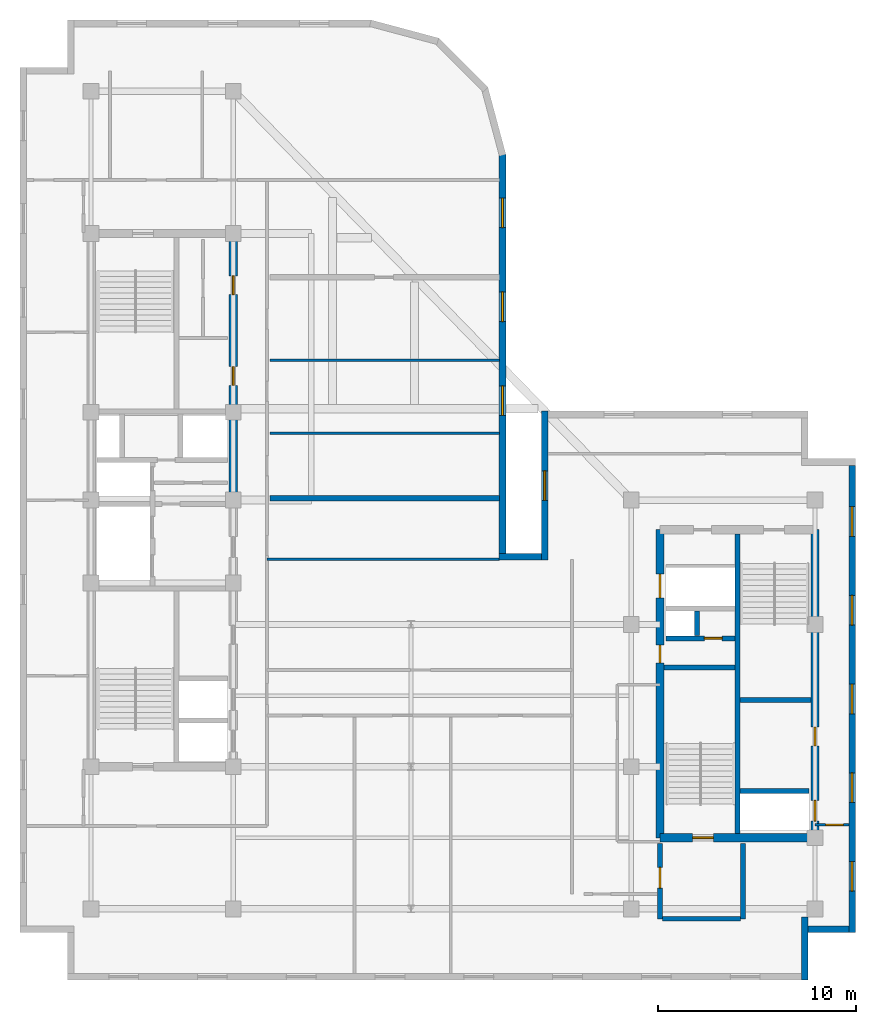
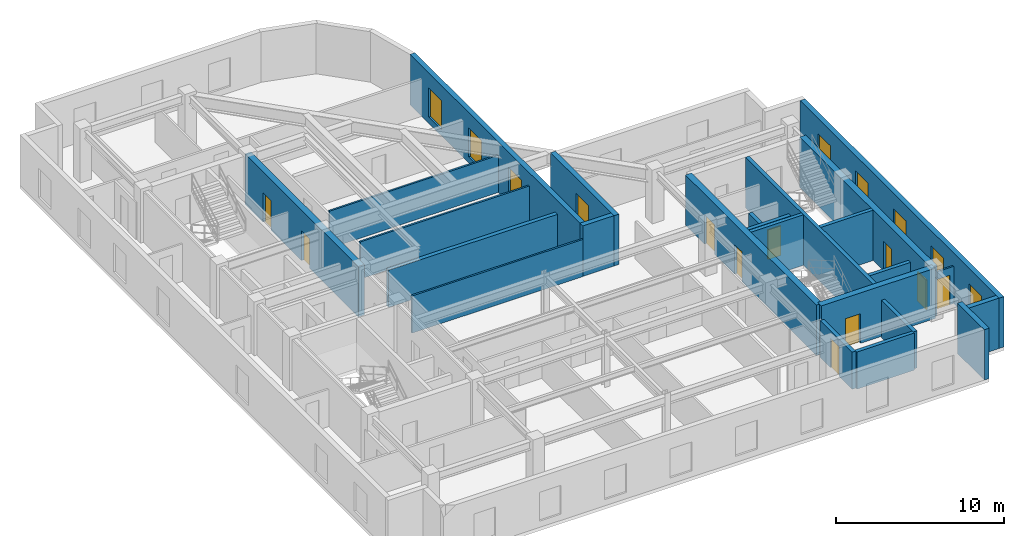
# One storey, part 5 of 10: 24 walls, 10 doors, 9 windows, 19 openings.
"""IFC4 building model written with IfcOpenShell, lengths in metres."""

from ifc_helpers import new_model, entity, si_unit, converted_unit, direction, frame, origin_with_axes, origin_2d_with_axis, place, context, subcontext, project, spatial, polyline, rectangle, outline, extrude, material, layer, layer_set, type_object, element, fill, save


model = new_model("IFC4")

# Units and contexts
model_context = context("Model", 3, precision=1e-05, world=origin_with_axes(), true_north=direction((0.0, 1.0)))
body_context = subcontext(model_context, "Body", "Model", "MODEL_VIEW")
ifc_project = project(units=[si_unit("LENGTHUNIT", "METRE"), si_unit("AREAUNIT", "SQUARE_METRE"), si_unit("VOLUMEUNIT", "CUBIC_METRE"), converted_unit("PLANEANGLEUNIT", "DEGREE", entity("IfcPlaneAngleMeasure", 0.017453292519943295), si_unit("PLANEANGLEUNIT", "RADIAN"), dimensions=[0, 0, 0, 0, 0, 0, 0]), si_unit("MASSUNIT", "GRAM", prefix="KILO"), si_unit("THERMODYNAMICTEMPERATUREUNIT", "KELVIN")], contexts=[model_context])

# Site, building, storey
site_placement = place(None, origin_with_axes())
site = spatial("IfcSite", under=ifc_project, at=site_placement, CompositionType="ELEMENT")
building_placement = place(site_placement, origin_with_axes())
building = spatial("IfcBuilding", under=site, at=building_placement, Name="Varnlund Millrace Tower", CompositionType="ELEMENT")
storey_placement = place(building_placement, frame((0.0, 0.0, 280.2), z_axis=(0.0, 0.0, 1.0), x_axis=(1.0, 0.0, 0.0)))
storey = spatial("IfcBuildingStorey", under=building, at=storey_placement, Name="L69", CompositionType="ELEMENT", Elevation=280.2)

# Wall, openings, doors
ifc_material_1 = material(Name="Concrete C60/75", Category="concrete")
ifc_layer_1 = layer(ifc_material_1, 0.42, Name="Concrete C60/75")
ifc_layer_set_1 = layer_set([ifc_layer_1], Name="Concrete C60/75")
wall_type_1 = type_object("IfcWallType", Name="Type-CoreWall-Shear-420-C60", PredefinedType="SHEAR", material=ifc_layer_set_1)
wall_1_placement = place(storey_placement, frame((18.6, 24.3, 0.0), z_axis=(0.0, 0.0, 1.0), x_axis=(0.0, 1.0, 0.0)))
wall_1 = element("IfcWall", 1, at=wall_1_placement, inside=storey, type_object=wall_type_1, Name="Type-CoreWall-Shear-420-C60", PredefinedType="SHEAR", context=body_context, shape_type="SweptSolid", body=[
    extrude(outline(polyline([(0.0, -0.21), (13.5, -0.21), (13.5, 0.21), (0.0, 0.21), (0.0, -0.21)])), origin_with_axes(), (0.0, 0.0, 1.0), 3.66),
])
opening_1_placement = place(wall_1_placement, frame((6.275, 0.0, 0.0), z_axis=(0.0, 0.0, 1.0), x_axis=(1.0, 0.0, 0.0)))
opening_1 = element("IfcOpeningElement", 2, at=opening_1_placement, cuts=wall_1, Name="Opening L69:DR-RECL-M1", PredefinedType="OPENING", context=body_context, shape_type="SweptSolid", body=[
    extrude(rectangle(XDim=0.95, YDim=0.44, at=origin_2d_with_axis()), origin_with_axes(), (0.0, 0.0, 1.0), 2.15),
])
opening_2_placement = place(wall_1_placement, frame((10.875, 0.0, 0.0), z_axis=(0.0, 0.0, 1.0), x_axis=(1.0, 0.0, 0.0)))
opening_2 = element("IfcOpeningElement", 3, at=opening_2_placement, cuts=wall_1, Name="Opening L69:DR-RECL-M3", PredefinedType="OPENING", context=body_context, shape_type="SweptSolid", body=[
    extrude(rectangle(XDim=0.95, YDim=0.44, at=origin_2d_with_axis()), origin_with_axes(), (0.0, 0.0, 1.0), 2.15),
])
ifc_material_2 = material(Name="Fire-rated hollow steel core service door", Category="steel")
door_type_1 = type_object("IfcDoorType", Name="Type-FireDoor-Service-950X2150", OperationType="NOTDEFINED", PredefinedType="DOOR", material=ifc_material_2)
door_1_placement = place(wall_1_placement, frame((6.275, 0.0, 0.0), z_axis=(0.0, 0.0, 1.0), x_axis=(1.0, 0.0, 0.0)))
door_1 = element("IfcDoor", 4, at=door_1_placement, inside=storey, type_object=door_type_1, Name="Type-FireDoor-Service-950X2150", OperationType="SINGLE_SWING_LEFT", OverallHeight=2.15, OverallWidth=0.95, PredefinedType="DOOR", context=body_context, shape_type="SweptSolid", body=[
    extrude(rectangle(XDim=0.95, YDim=0.09, at=origin_2d_with_axis()), origin_with_axes(), (0.0, 0.0, 1.0), 2.15),
])
fill(opening_1, door_1)
door_2_placement = place(wall_1_placement, frame((10.875, 0.0, 0.0), z_axis=(0.0, 0.0, 1.0), x_axis=(1.0, 0.0, 0.0)))
door_2 = element("IfcDoor", 5, at=door_2_placement, inside=storey, type_object=door_type_1, Name="Type-FireDoor-Service-950X2150", OperationType="SINGLE_SWING_RIGHT", OverallHeight=2.15, OverallWidth=0.95, PredefinedType="DOOR", context=body_context, shape_type="SweptSolid", body=[
    extrude(rectangle(XDim=0.95, YDim=0.09, at=origin_2d_with_axis()), origin_with_axes(), (0.0, 0.0, 1.0), 2.15),
])
fill(opening_2, door_2)

wall_2_placement = place(storey_placement, frame((40.2, 7.2, 0.0), z_axis=(0.0, 0.0, 1.0), x_axis=(0.0, 1.0, 0.0)))
wall_2 = element("IfcWall", 6, at=wall_2_placement, inside=storey, type_object=wall_type_1, Name="Type-CoreWall-Shear-420-C60", PredefinedType="SHEAR", context=body_context, shape_type="SweptSolid", body=[
    extrude(outline(polyline([(0.0, -0.21), (15.6, -0.21), (15.6, 0.21), (0.0, 0.21), (0.0, -0.21)])), origin_with_axes(), (0.0, 0.0, 1.0), 3.66),
])
opening_3_placement = place(wall_2_placement, frame((12.75, 0.0, 0.0), z_axis=(0.0, 0.0, 1.0), x_axis=(1.0, 0.0, 0.0)))
opening_3 = element("IfcOpeningElement", 7, at=opening_3_placement, cuts=wall_2, Name="Opening L69:LD-SRV2", PredefinedType="OPENING", context=body_context, shape_type="SweptSolid", body=[
    extrude(rectangle(XDim=1.2, YDim=0.44, at=origin_2d_with_axis()), origin_with_axes(), (0.0, 0.0, 1.0), 2.15),
])
opening_4_placement = place(wall_2_placement, frame((9.3, 0.0, 0.0), z_axis=(0.0, 0.0, 1.0), x_axis=(1.0, 0.0, 0.0)))
opening_4 = element("IfcOpeningElement", 8, at=opening_4_placement, cuts=wall_2, Name="Opening L69:DR-CB-JAN", PredefinedType="OPENING", context=body_context, shape_type="SweptSolid", body=[
    extrude(rectangle(XDim=0.9, YDim=0.44, at=origin_2d_with_axis()), origin_with_axes(), (0.0, 0.0, 1.0), 2.15),
])
ifc_material_3 = material(Name="Fire-rated hollow steel service closet door", Category="steel")
door_type_2 = type_object("IfcDoorType", Name="Type-FireDoor-Closet-900X2150", OperationType="NOTDEFINED", PredefinedType="DOOR", material=ifc_material_3)
door_3_placement = place(wall_2_placement, frame((9.3, 0.0, 0.0), z_axis=(0.0, 0.0, 1.0), x_axis=(1.0, 0.0, 0.0)))
door_3 = element("IfcDoor", 9, at=door_3_placement, inside=storey, type_object=door_type_2, Name="Type-FireDoor-Closet-900X2150", OperationType="SINGLE_SWING_RIGHT", OverallHeight=2.15, OverallWidth=0.9, PredefinedType="DOOR", context=body_context, shape_type="SweptSolid", body=[
    extrude(rectangle(XDim=0.9, YDim=0.09, at=origin_2d_with_axis()), origin_with_axes(), (0.0, 0.0, 1.0), 2.15),
])
fill(opening_4, door_3)
ifc_material_4 = material(Name="Heavy-duty freight sliding landing door")
door_type_3 = type_object("IfcDoorType", Name="Type-LiftLandingDoor-Service-1200X2150", OperationType="NOTDEFINED", PredefinedType="DOOR", material=ifc_material_4)
door_4_placement = place(wall_2_placement, frame((12.75, 0.0, 0.0), z_axis=(0.0, 0.0, 1.0), x_axis=(1.0, 0.0, 0.0)))
door_4 = element("IfcDoor", 10, at=door_4_placement, inside=storey, type_object=door_type_3, Name="Type-LiftLandingDoor-Service-1200X2150", OperationType="DOUBLE_DOOR_SLIDING", OverallHeight=2.15, OverallWidth=1.2, PredefinedType="DOOR", context=body_context, shape_type="SweptSolid", body=[
    extrude(rectangle(XDim=1.2, YDim=0.09, at=origin_2d_with_axis()), origin_with_axes(), (0.0, 0.0, 1.0), 2.15),
])
fill(opening_3, door_4)

# Wall, opening, door
wall_3_placement = place(storey_placement, frame((40.2, 7.2, 0.0), z_axis=(0.0, 0.0, 1.0), x_axis=(1.0, 0.0, 0.0)))
wall_3 = element("IfcWall", 11, at=wall_3_placement, inside=storey, type_object=wall_type_1, Name="Type-CoreWall-Shear-420-C60", PredefinedType="SHEAR", context=body_context, shape_type="SweptSolid", body=[
    extrude(outline(polyline([(0.0, -0.21), (7.85, -0.21), (7.85, 0.21), (0.0, 0.21), (0.0, -0.21)])), origin_with_axes(), (0.0, 0.0, 1.0), 3.66),
])
opening_5_placement = place(wall_3_placement, frame((2.175, 0.0, 0.0), z_axis=(0.0, 0.0, 1.0), x_axis=(1.0, 0.0, 0.0)))
opening_5 = element("IfcOpeningElement", 12, at=opening_5_placement, cuts=wall_3, Name="Opening L69:DR-STB1", PredefinedType="OPENING", context=body_context, shape_type="SweptSolid", body=[
    extrude(rectangle(XDim=1.05, YDim=0.44, at=origin_2d_with_axis()), origin_with_axes(), (0.0, 0.0, 1.0), 2.15),
])
ifc_material_5 = material(Name="Fire-rated hollow steel door", Category="steel")
door_type_4 = type_object("IfcDoorType", Name="Type-FireDoor-Stair-1050X2150", OperationType="NOTDEFINED", PredefinedType="DOOR", material=ifc_material_5)
door_5_placement = place(wall_3_placement, frame((2.175, 0.0, 0.0), z_axis=(0.0, 0.0, 1.0), x_axis=(1.0, 0.0, 0.0)))
door_5 = element("IfcDoor", 13, at=door_5_placement, inside=storey, type_object=door_type_4, Name="Type-FireDoor-Stair-1050X2150", OperationType="SINGLE_SWING_LEFT", OverallHeight=2.15, OverallWidth=1.05, PredefinedType="DOOR", context=body_context, shape_type="SweptSolid", body=[
    extrude(rectangle(XDim=1.05, YDim=0.09, at=origin_2d_with_axis()), origin_with_axes(), (0.0, 0.0, 1.0), 2.15),
])
fill(opening_5, door_5)

# Wall, openings, doors
wall_4_placement = place(storey_placement, frame((48.05, 7.2, 0.0), z_axis=(0.0, 0.0, 1.0), x_axis=(0.0, 1.0, 0.0)))
wall_4 = element("IfcWall", 14, at=wall_4_placement, inside=storey, type_object=wall_type_1, Name="Type-CoreWall-Shear-420-C60", PredefinedType="SHEAR", context=body_context, shape_type="SweptSolid", body=[
    extrude(outline(polyline([(0.0, -0.21), (15.6, -0.21), (15.6, 0.21), (0.0, 0.21), (0.0, -0.21)])), origin_with_axes(), (0.0, 0.0, 1.0), 3.66),
])
opening_6_placement = place(wall_4_placement, frame((1.375, 0.0, 0.0), z_axis=(0.0, 0.0, 1.0), x_axis=(1.0, 0.0, 0.0)))
opening_6 = element("IfcOpeningElement", 15, at=opening_6_placement, cuts=wall_4, Name="Opening L69:LD-ELV-H3", PredefinedType="OPENING", context=body_context, shape_type="SweptSolid", body=[
    extrude(rectangle(XDim=1.05, YDim=0.44, at=origin_2d_with_axis()), origin_with_axes(), (0.0, 0.0, 1.0), 2.15),
])
opening_7_placement = place(wall_4_placement, frame((5.125, 0.0, 0.0), z_axis=(0.0, 0.0, 1.0), x_axis=(1.0, 0.0, 0.0)))
opening_7 = element("IfcOpeningElement", 16, at=opening_7_placement, cuts=wall_4, Name="Opening L69:DR-CB-WC", PredefinedType="OPENING", context=body_context, shape_type="SweptSolid", body=[
    extrude(rectangle(XDim=0.95, YDim=0.44, at=origin_2d_with_axis()), origin_with_axes(), (0.0, 0.0, 1.0), 2.15),
])
door_6_placement = place(wall_4_placement, frame((5.125, 0.0, 0.0), z_axis=(0.0, 0.0, 1.0), x_axis=(1.0, 0.0, 0.0)))
door_6 = element("IfcDoor", 17, at=door_6_placement, inside=storey, type_object=door_type_1, Name="Type-FireDoor-Service-950X2150", OperationType="SINGLE_SWING_LEFT", OverallHeight=2.15, OverallWidth=0.95, PredefinedType="DOOR", context=body_context, shape_type="SweptSolid", body=[
    extrude(rectangle(XDim=0.95, YDim=0.09, at=origin_2d_with_axis()), origin_with_axes(), (0.0, 0.0, 1.0), 2.15),
])
fill(opening_7, door_6)
ifc_material_6 = material(Name="Architectural bronze sliding landing door")
door_type_5 = type_object("IfcDoorType", Name="Type-LiftLandingDoor-Compact-1050X2150", OperationType="NOTDEFINED", PredefinedType="DOOR", material=ifc_material_6)
door_7_placement = place(wall_4_placement, frame((1.375, 0.0, 0.0), z_axis=(0.0, 0.0, 1.0), x_axis=(1.0, 0.0, 0.0)))
door_7 = element("IfcDoor", 18, at=door_7_placement, inside=storey, type_object=door_type_5, Name="Type-LiftLandingDoor-Compact-1050X2150", OperationType="SLIDING_TO_LEFT", OverallHeight=2.15, OverallWidth=1.05, PredefinedType="DOOR", context=body_context, shape_type="SweptSolid", body=[
    extrude(rectangle(XDim=1.05, YDim=0.09, at=origin_2d_with_axis()), origin_with_axes(), (0.0, 0.0, 1.0), 2.15),
])
fill(opening_6, door_7)

# Wall, opening, window
ifc_material_7 = material(Name="Precast concrete C50/60", Category="concrete")
ifc_layer_2 = layer(ifc_material_7, 0.34, Name="Precast concrete C50/60")
ifc_layer_set_2 = layer_set([ifc_layer_2], Name="Precast concrete C50/60")
wall_type_2 = type_object("IfcWallType", Name="Type-ExtWall-Precast-Upper-340", PredefinedType="SOLIDWALL", material=ifc_layer_set_2)
wall_5_placement = place(storey_placement, frame((34.37, 21.26, 0.0), z_axis=(0.0, 0.0, 1.0), x_axis=(0.0, 1.0, 0.0)))
wall_5 = element("IfcWall", 19, at=wall_5_placement, inside=storey, type_object=wall_type_2, Name="Type-ExtWall-Precast-Upper-340", PredefinedType="SOLIDWALL", context=body_context, shape_type="SweptSolid", body=[
    extrude(outline(polyline([(0.0, -0.17), (7.54, -0.17), (7.54, 0.17), (0.0, 0.17), (0.0, -0.17)])), origin_with_axes(), (0.0, 0.0, 1.0), 3.66),
])
opening_8_placement = place(wall_5_placement, frame((3.77, 0.0, 0.45), z_axis=(0.0, 0.0, 1.0), x_axis=(1.0, 0.0, 0.0)))
opening_8 = element("IfcOpeningElement", 20, at=opening_8_placement, cuts=wall_5, Name="Opening L69:WN-01", PredefinedType="OPENING", context=body_context, shape_type="SweptSolid", body=[
    extrude(rectangle(XDim=1.5, YDim=0.36, at=origin_2d_with_axis()), origin_with_axes(), (0.0, 0.0, 1.0), 2.1),
])
ifc_material_8 = material(Name="Argon low-e triple glazing in thermally broken bronze frame", Category="glass")
window_type = type_object("IfcWindowType", Name="Type-Window-Punched-1500X2100", PartitioningType="SINGLE_PANEL", PredefinedType="WINDOW", material=ifc_material_8)
window_1_placement = place(wall_5_placement, frame((3.77, 0.0, 0.45), z_axis=(0.0, 0.0, 1.0), x_axis=(1.0, 0.0, 0.0)))
window_1 = element("IfcWindow", 21, at=window_1_placement, inside=storey, type_object=window_type, Name="Type-Window-Punched-1500X2100", OverallHeight=2.1, OverallWidth=1.5, PredefinedType="WINDOW", context=body_context, shape_type="SweptSolid", body=[
    extrude(rectangle(XDim=1.5, YDim=0.09, at=origin_2d_with_axis()), origin_with_axes(), (0.0, 0.0, 1.0), 2.1),
])
fill(opening_8, window_1)

# Wall, openings, windows
wall_6_placement = place(storey_placement, frame((49.93, 26.06, 0.0), z_axis=(0.0, 0.0, 1.0), x_axis=(0.0, -1.0, 0.0)))
wall_6 = element("IfcWall", 22, at=wall_6_placement, inside=storey, type_object=wall_type_2, Name="Type-ExtWall-Precast-Upper-340", PredefinedType="SOLIDWALL", context=body_context, shape_type="SweptSolid", body=[
    extrude(outline(polyline([(0.0, -0.17), (23.66, -0.17), (23.66, 0.17), (0.0, 0.17), (0.0, -0.17)])), origin_with_axes(), (0.0, 0.0, 1.0), 3.66),
])
opening_9_placement = place(wall_6_placement, frame((2.846, 0.0, 0.45), z_axis=(0.0, 0.0, 1.0), x_axis=(1.0, 0.0, 0.0)))
opening_9 = element("IfcOpeningElement", 23, at=opening_9_placement, cuts=wall_6, Name="Opening L69:WN-04", PredefinedType="OPENING", context=body_context, shape_type="SweptSolid", body=[
    extrude(rectangle(XDim=1.5, YDim=0.36, at=origin_2d_with_axis()), origin_with_axes(), (0.0, 0.0, 1.0), 2.1),
])
opening_10_placement = place(wall_6_placement, frame((7.338, 0.0, 0.45), z_axis=(0.0, 0.0, 1.0), x_axis=(1.0, 0.0, 0.0)))
opening_10 = element("IfcOpeningElement", 24, at=opening_10_placement, cuts=wall_6, Name="Opening L69:WN-05", PredefinedType="OPENING", context=body_context, shape_type="SweptSolid", body=[
    extrude(rectangle(XDim=1.5, YDim=0.36, at=origin_2d_with_axis()), origin_with_axes(), (0.0, 0.0, 1.0), 2.1),
])
opening_11_placement = place(wall_6_placement, frame((11.83, 0.0, 0.45), z_axis=(0.0, 0.0, 1.0), x_axis=(1.0, 0.0, 0.0)))
opening_11 = element("IfcOpeningElement", 25, at=opening_11_placement, cuts=wall_6, Name="Opening L69:WN-06", PredefinedType="OPENING", context=body_context, shape_type="SweptSolid", body=[
    extrude(rectangle(XDim=1.5, YDim=0.36, at=origin_2d_with_axis()), origin_with_axes(), (0.0, 0.0, 1.0), 2.1),
])
opening_12_placement = place(wall_6_placement, frame((16.322, 0.0, 0.45), z_axis=(0.0, 0.0, 1.0), x_axis=(1.0, 0.0, 0.0)))
opening_12 = element("IfcOpeningElement", 26, at=opening_12_placement, cuts=wall_6, Name="Opening L69:WN-07", PredefinedType="OPENING", context=body_context, shape_type="SweptSolid", body=[
    extrude(rectangle(XDim=1.5, YDim=0.36, at=origin_2d_with_axis()), origin_with_axes(), (0.0, 0.0, 1.0), 2.1),
])
opening_13_placement = place(wall_6_placement, frame((20.814, 0.0, 0.45), z_axis=(0.0, 0.0, 1.0), x_axis=(1.0, 0.0, 0.0)))
opening_13 = element("IfcOpeningElement", 27, at=opening_13_placement, cuts=wall_6, Name="Opening L69:WN-08", PredefinedType="OPENING", context=body_context, shape_type="SweptSolid", body=[
    extrude(rectangle(XDim=1.5, YDim=0.36, at=origin_2d_with_axis()), origin_with_axes(), (0.0, 0.0, 1.0), 2.1),
])
window_2_placement = place(wall_6_placement, frame((2.846, 0.0, 0.45), z_axis=(0.0, 0.0, 1.0), x_axis=(1.0, 0.0, 0.0)))
window_2 = element("IfcWindow", 28, at=window_2_placement, inside=storey, type_object=window_type, Name="Type-Window-Punched-1500X2100", OverallHeight=2.1, OverallWidth=1.5, PredefinedType="WINDOW", context=body_context, shape_type="SweptSolid", body=[
    extrude(rectangle(XDim=1.5, YDim=0.09, at=origin_2d_with_axis()), origin_with_axes(), (0.0, 0.0, 1.0), 2.1),
])
fill(opening_9, window_2)
window_3_placement = place(wall_6_placement, frame((7.338, 0.0, 0.45), z_axis=(0.0, 0.0, 1.0), x_axis=(1.0, 0.0, 0.0)))
window_3 = element("IfcWindow", 29, at=window_3_placement, inside=storey, type_object=window_type, Name="Type-Window-Punched-1500X2100", OverallHeight=2.1, OverallWidth=1.5, PredefinedType="WINDOW", context=body_context, shape_type="SweptSolid", body=[
    extrude(rectangle(XDim=1.5, YDim=0.09, at=origin_2d_with_axis()), origin_with_axes(), (0.0, 0.0, 1.0), 2.1),
])
fill(opening_10, window_3)
window_4_placement = place(wall_6_placement, frame((11.83, 0.0, 0.45), z_axis=(0.0, 0.0, 1.0), x_axis=(1.0, 0.0, 0.0)))
window_4 = element("IfcWindow", 30, at=window_4_placement, inside=storey, type_object=window_type, Name="Type-Window-Punched-1500X2100", OverallHeight=2.1, OverallWidth=1.5, PredefinedType="WINDOW", context=body_context, shape_type="SweptSolid", body=[
    extrude(rectangle(XDim=1.5, YDim=0.09, at=origin_2d_with_axis()), origin_with_axes(), (0.0, 0.0, 1.0), 2.1),
])
fill(opening_11, window_4)
window_5_placement = place(wall_6_placement, frame((16.322, 0.0, 0.45), z_axis=(0.0, 0.0, 1.0), x_axis=(1.0, 0.0, 0.0)))
window_5 = element("IfcWindow", 31, at=window_5_placement, inside=storey, type_object=window_type, Name="Type-Window-Punched-1500X2100", OverallHeight=2.1, OverallWidth=1.5, PredefinedType="WINDOW", context=body_context, shape_type="SweptSolid", body=[
    extrude(rectangle(XDim=1.5, YDim=0.09, at=origin_2d_with_axis()), origin_with_axes(), (0.0, 0.0, 1.0), 2.1),
])
fill(opening_12, window_5)
window_6_placement = place(wall_6_placement, frame((20.814, 0.0, 0.45), z_axis=(0.0, 0.0, 1.0), x_axis=(1.0, 0.0, 0.0)))
window_6 = element("IfcWindow", 32, at=window_6_placement, inside=storey, type_object=window_type, Name="Type-Window-Punched-1500X2100", OverallHeight=2.1, OverallWidth=1.5, PredefinedType="WINDOW", context=body_context, shape_type="SweptSolid", body=[
    extrude(rectangle(XDim=1.5, YDim=0.09, at=origin_2d_with_axis()), origin_with_axes(), (0.0, 0.0, 1.0), 2.1),
])
fill(opening_13, window_6)

# Walls
wall_7_placement = place(storey_placement, frame((49.76, 2.57, 0.0), z_axis=(0.0, 0.0, 1.0), x_axis=(-1.0, 0.0, 0.0)))
element("IfcWall", 33, at=wall_7_placement, inside=storey, type_object=wall_type_2, Name="Type-ExtWall-Precast-Upper-340", PredefinedType="SOLIDWALL", context=body_context, shape_type="SweptSolid", body=[
    extrude(outline(polyline([(0.0, -0.17), (2.06, -0.17), (2.06, 0.17), (0.0, 0.17), (0.0, -0.17)])), origin_with_axes(), (0.0, 0.0, 1.0), 3.66),
])
wall_8_placement = place(storey_placement, frame((47.53, 3.2, 0.0), z_axis=(0.0, 0.0, 1.0), x_axis=(0.0, -1.0, 0.0)))
element("IfcWall", 34, at=wall_8_placement, inside=storey, type_object=wall_type_2, Name="Type-ExtWall-Precast-Upper-340", PredefinedType="SOLIDWALL", context=body_context, shape_type="SweptSolid", body=[
    extrude(outline(polyline([(0.0, -0.17), (3.2, -0.17), (3.2, 0.17), (0.0, 0.17), (0.0, -0.17)])), origin_with_axes(), (0.0, 0.0, 1.0), 3.66),
])

# Wall, openings, windows
wall_9_placement = place(storey_placement, frame((32.23, 41.82, 0.0), z_axis=(0.0, 0.0, 1.0), x_axis=(0.0, -1.0, 0.0)))
wall_9 = element("IfcWall", 35, at=wall_9_placement, inside=storey, type_object=wall_type_2, Name="Type-ExtWall-Precast-Upper-340", PredefinedType="SOLIDWALL", context=body_context, shape_type="SweptSolid", body=[
    extrude(outline(polyline([(0.0, -0.17), (20.22, -0.17), (20.22, 0.17), (0.0, 0.17), (0.0, -0.17)])), origin_with_axes(), (0.0, 0.0, 1.0), 3.66),
])
opening_14_placement = place(wall_9_placement, frame((2.978, 0.0, 0.45), z_axis=(0.0, 0.0, 1.0), x_axis=(1.0, 0.0, 0.0)))
opening_14 = element("IfcOpeningElement", 36, at=opening_14_placement, cuts=wall_9, Name="Opening L69:WN-27", PredefinedType="OPENING", context=body_context, shape_type="SweptSolid", body=[
    extrude(rectangle(XDim=1.5, YDim=0.36, at=origin_2d_with_axis()), origin_with_axes(), (0.0, 0.0, 1.0), 2.1),
])
opening_15_placement = place(wall_9_placement, frame((7.732, 0.0, 0.45), z_axis=(0.0, 0.0, 1.0), x_axis=(1.0, 0.0, 0.0)))
opening_15 = element("IfcOpeningElement", 37, at=opening_15_placement, cuts=wall_9, Name="Opening L69:WN-28", PredefinedType="OPENING", context=body_context, shape_type="SweptSolid", body=[
    extrude(rectangle(XDim=1.5, YDim=0.36, at=origin_2d_with_axis()), origin_with_axes(), (0.0, 0.0, 1.0), 2.1),
])
opening_16_placement = place(wall_9_placement, frame((12.487, 0.0, 0.45), z_axis=(0.0, 0.0, 1.0), x_axis=(1.0, 0.0, 0.0)))
opening_16 = element("IfcOpeningElement", 38, at=opening_16_placement, cuts=wall_9, Name="Opening L69:WN-29", PredefinedType="OPENING", context=body_context, shape_type="SweptSolid", body=[
    extrude(rectangle(XDim=1.5, YDim=0.36, at=origin_2d_with_axis()), origin_with_axes(), (0.0, 0.0, 1.0), 2.1),
])
window_7_placement = place(wall_9_placement, frame((2.978, 0.0, 0.45), z_axis=(0.0, 0.0, 1.0), x_axis=(1.0, 0.0, 0.0)))
window_7 = element("IfcWindow", 39, at=window_7_placement, inside=storey, type_object=window_type, Name="Type-Window-Punched-1500X2100", OverallHeight=2.1, OverallWidth=1.5, PredefinedType="WINDOW", context=body_context, shape_type="SweptSolid", body=[
    extrude(rectangle(XDim=1.5, YDim=0.09, at=origin_2d_with_axis()), origin_with_axes(), (0.0, 0.0, 1.0), 2.1),
])
fill(opening_14, window_7)
window_8_placement = place(wall_9_placement, frame((7.732, 0.0, 0.45), z_axis=(0.0, 0.0, 1.0), x_axis=(1.0, 0.0, 0.0)))
window_8 = element("IfcWindow", 40, at=window_8_placement, inside=storey, type_object=window_type, Name="Type-Window-Punched-1500X2100", OverallHeight=2.1, OverallWidth=1.5, PredefinedType="WINDOW", context=body_context, shape_type="SweptSolid", body=[
    extrude(rectangle(XDim=1.5, YDim=0.09, at=origin_2d_with_axis()), origin_with_axes(), (0.0, 0.0, 1.0), 2.1),
])
fill(opening_15, window_8)
window_9_placement = place(wall_9_placement, frame((12.487, 0.0, 0.45), z_axis=(0.0, 0.0, 1.0), x_axis=(1.0, 0.0, 0.0)))
window_9 = element("IfcWindow", 41, at=window_9_placement, inside=storey, type_object=window_type, Name="Type-Window-Punched-1500X2100", OverallHeight=2.1, OverallWidth=1.5, PredefinedType="WINDOW", context=body_context, shape_type="SweptSolid", body=[
    extrude(rectangle(XDim=1.5, YDim=0.09, at=origin_2d_with_axis()), origin_with_axes(), (0.0, 0.0, 1.0), 2.1),
])
fill(opening_16, window_9)

# Walls
wall_10_placement = place(storey_placement, frame((32.06, 21.43, 0.0), z_axis=(0.0, 0.0, 1.0), x_axis=(1.0, 0.0, 0.0)))
element("IfcWall", 42, at=wall_10_placement, inside=storey, type_object=wall_type_2, Name="Type-ExtWall-Precast-Upper-340", PredefinedType="SOLIDWALL", context=body_context, shape_type="SweptSolid", body=[
    extrude(outline(polyline([(0.0, -0.17), (2.14, -0.17), (2.14, 0.17), (0.0, 0.17), (0.0, -0.17)])), origin_with_axes(), (0.0, 0.0, 1.0), 3.66),
])
ifc_material_9 = material(Name="Double-stud STC-60 conference acoustic partition", Category="gypsum")
ifc_layer_3 = layer(ifc_material_9, 0.28, Name="Double-stud STC-60 conference acoustic partition")
ifc_layer_set_3 = layer_set([ifc_layer_3], Name="Double-stud STC-60 conference acoustic partition")
wall_type_3 = type_object("IfcWallType", Name="Type-Partition-Acoustic-280", PredefinedType="PARTITIONING", material=ifc_layer_set_3)
wall_11_placement = place(storey_placement, frame((20.45, 24.387, 0.0), z_axis=(0.0, 0.0, 1.0), x_axis=(1.0, 0.0, 0.0)))
element("IfcWall", 43, at=wall_11_placement, inside=storey, type_object=wall_type_3, Name="Type-Partition-Acoustic-280", PredefinedType="PARTITIONING", context=body_context, shape_type="SweptSolid", body=[
    extrude(outline(polyline([(0.0, -0.14), (11.615, -0.14), (11.615, 0.14), (0.0, 0.14), (0.0, -0.14)])), origin_with_axes(), (0.0, 0.0, 1.0), 2.7),
])
ifc_material_10 = material(Name="Gypsum board tenant partition", Category="gypsum")
ifc_layer_4 = layer(ifc_material_10, 0.125, Name="Gypsum board tenant partition")
ifc_layer_set_4 = layer_set([ifc_layer_4], Name="Gypsum board tenant partition")
wall_type_4 = type_object("IfcWallType", Name="Type-Partition-Tenant-125", PredefinedType="PARTITIONING", material=ifc_layer_set_4)
for number, where, z_axis, x_axis, name in (
    (44, (20.45, 27.693, 0.0), (0.0, 0.0, 1.0), (1.0, 0.0, 0.0), "Type-Partition-Tenant-125"),
    (45, (20.45, 31.368, 0.0), (0.0, 0.0, 1.0), (1.0, 0.0, 0.0), "Type-Partition-Tenant-125"),
):
    element("IfcWall", number, at=place(storey_placement, frame(where, z_axis=z_axis, x_axis=x_axis)), inside=storey, type_object=wall_type_4, Name=name, PredefinedType="PARTITIONING", context=body_context, shape_type="SweptSolid", body=[
        extrude(outline(polyline([(0.0, -0.0625), (11.615, -0.0625), (11.615, 0.0625), (0.0, 0.0625), (0.0, -0.0625)])), origin_with_axes(), (0.0, 0.0, 1.0), 2.7),
    ])

# Wall, opening, door
wall_12_placement = place(storey_placement, frame((49.765, 7.85, 0.0), z_axis=(0.0, 0.0, 1.0), x_axis=(-1.0, 0.0, 0.0)))
wall_12 = element("IfcWall", 46, at=wall_12_placement, inside=storey, type_object=wall_type_4, Name="Type-Partition-Tenant-125", PredefinedType="PARTITIONING", context=body_context, shape_type="SweptSolid", body=[
    extrude(outline(polyline([(0.0, -0.0625), (1.715, -0.0625), (1.715, 0.0625), (0.0, 0.0625), (0.0, -0.0625)])), origin_with_axes(), (0.0, 0.0, 1.0), 2.7),
])
opening_17_placement = place(wall_12_placement, frame((0.725, 0.0, 0.0), z_axis=(0.0, 0.0, 1.0), x_axis=(1.0, 0.0, 0.0)))
opening_17 = element("IfcOpeningElement", 47, at=opening_17_placement, cuts=wall_12, Name="Opening L69:DR-WBS-01", PredefinedType="OPENING", context=body_context, shape_type="SweptSolid", body=[
    extrude(rectangle(XDim=0.9, YDim=0.145, at=origin_2d_with_axis()), origin_with_axes(), (0.0, 0.0, 1.0), 2.15),
])
ifc_material_11 = material(Name="Painted steel riser and closet door", Category="steel")
door_type_6 = type_object("IfcDoorType", Name="Type-IntDoor-Closet-900X2150", OperationType="NOTDEFINED", PredefinedType="DOOR", material=ifc_material_11)
door_8_placement = place(wall_12_placement, frame((0.725, 0.0, 0.0), z_axis=(0.0, 0.0, 1.0), x_axis=(1.0, 0.0, 0.0)))
door_8 = element("IfcDoor", 48, at=door_8_placement, inside=storey, type_object=door_type_6, Name="Type-IntDoor-Closet-900X2150", OperationType="SINGLE_SWING_LEFT", OverallHeight=2.15, OverallWidth=0.9, PredefinedType="DOOR", context=body_context, shape_type="SweptSolid", body=[
    extrude(rectangle(XDim=0.9, YDim=0.075, at=origin_2d_with_axis()), origin_with_axes(), (0.0, 0.0, 1.0), 2.15),
])
fill(opening_17, door_8)

# Wall
wall_13_placement = place(storey_placement, frame((20.3, 21.3, 0.0), z_axis=(0.0, 0.0, 1.0), x_axis=(1.0, 0.0, 0.0)))
element("IfcWall", 49, at=wall_13_placement, inside=storey, type_object=wall_type_4, Name="Type-Partition-Tenant-125", PredefinedType="PARTITIONING", context=body_context, shape_type="SweptSolid", body=[
    extrude(outline(polyline([(0.0, -0.0625), (11.765, -0.0625), (11.765, 0.0625), (0.0, 0.0625), (0.0, -0.0625)])), origin_with_axes(), (0.0, 0.0, 1.0), 2.7),
])

# Wall, opening, door
ifc_layer_5 = layer(ifc_material_1, 0.25, Name="Concrete C60/75")
ifc_layer_set_5 = layer_set([ifc_layer_5], Name="Concrete C60/75")
wall_type_5 = type_object("IfcWallType", Name="Type-ShaftWall-Fire-250", PredefinedType="SOLIDWALL", material=ifc_layer_set_5)
wall_14_placement = place(storey_placement, frame((40.5, 17.3, 0.0), z_axis=(0.0, 0.0, 1.0), x_axis=(1.0, 0.0, 0.0)))
wall_14 = element("IfcWall", 50, at=wall_14_placement, inside=storey, type_object=wall_type_5, Name="Type-ShaftWall-Fire-250", PredefinedType="SOLIDWALL", context=body_context, shape_type="SweptSolid", body=[
    extrude(outline(polyline([(0.0, -0.125), (3.5, -0.125), (3.5, 0.125), (0.0, 0.125), (0.0, -0.125)])), origin_with_axes(), (0.0, 0.0, 1.0), 2.7),
])
opening_18_placement = place(wall_14_placement, frame((2.4, 0.0, 0.0), z_axis=(0.0, 0.0, 1.0), x_axis=(1.0, 0.0, 0.0)))
opening_18 = element("IfcOpeningElement", 51, at=opening_18_placement, cuts=wall_14, Name="Opening L69:DR-CB-ELC", PredefinedType="OPENING", context=body_context, shape_type="SweptSolid", body=[
    extrude(rectangle(XDim=0.9, YDim=0.27, at=origin_2d_with_axis()), origin_with_axes(), (0.0, 0.0, 1.0), 2.15),
])
door_9_placement = place(wall_14_placement, frame((2.4, 0.0, 0.0), z_axis=(0.0, 0.0, 1.0), x_axis=(1.0, 0.0, 0.0)))
door_9 = element("IfcDoor", 52, at=door_9_placement, inside=storey, type_object=door_type_2, Name="Type-FireDoor-Closet-900X2150", OperationType="SINGLE_SWING_LEFT", OverallHeight=2.15, OverallWidth=0.9, PredefinedType="DOOR", context=body_context, shape_type="SweptSolid", body=[
    extrude(rectangle(XDim=0.9, YDim=0.09, at=origin_2d_with_axis()), origin_with_axes(), (0.0, 0.0, 1.0), 2.15),
])
fill(opening_18, door_9)

# Wall
wall_15_placement = place(storey_placement, frame((42.075, 17.43, 0.0), z_axis=(0.0, 0.0, 1.0), x_axis=(0.0, 1.0, 0.0)))
element("IfcWall", 53, at=wall_15_placement, inside=storey, type_object=wall_type_5, Name="Type-ShaftWall-Fire-250", PredefinedType="SOLIDWALL", context=body_context, shape_type="SweptSolid", body=[
    extrude(outline(polyline([(0.0, -0.125), (1.24, -0.125), (1.24, 0.125), (0.0, 0.125), (0.0, -0.125)])), origin_with_axes(), (0.0, 0.0, 1.0), 2.7),
])

# Wall, opening, door
wall_16_placement = place(storey_placement, frame((40.2, 3.1, 0.0), z_axis=(0.0, 0.0, 1.0), x_axis=(0.0, 1.0, 0.0)))
wall_16 = element("IfcWall", 54, at=wall_16_placement, inside=storey, type_object=wall_type_5, Name="Type-ShaftWall-Fire-250", PredefinedType="SOLIDWALL", context=body_context, shape_type="SweptSolid", body=[
    extrude(outline(polyline([(0.0, -0.125), (3.8, -0.125), (3.8, 0.125), (0.0, 0.125), (0.0, -0.125)])), origin_with_axes(), (0.0, 0.0, 1.0), 2.7),
])
opening_19_placement = place(wall_16_placement, frame((2.075, 0.0, 0.0), z_axis=(0.0, 0.0, 1.0), x_axis=(1.0, 0.0, 0.0)))
opening_19 = element("IfcOpeningElement", 55, at=opening_19_placement, cuts=wall_16, Name="Opening L69:DR-FFLOB-B", PredefinedType="OPENING", context=body_context, shape_type="SweptSolid", body=[
    extrude(rectangle(XDim=1.05, YDim=0.27, at=origin_2d_with_axis()), origin_with_axes(), (0.0, 0.0, 1.0), 2.15),
])
ifc_material_12 = material(Name="Smoke-barrier hollow steel fire door", Category="steel")
door_type_7 = type_object("IfcDoorType", Name="Type-FireDoor-Lobby-1050X2150", OperationType="NOTDEFINED", PredefinedType="DOOR", material=ifc_material_12)
door_10_placement = place(wall_16_placement, frame((2.075, 0.0, 0.0), z_axis=(0.0, 0.0, 1.0), x_axis=(1.0, 0.0, 0.0)))
door_10 = element("IfcDoor", 56, at=door_10_placement, inside=storey, type_object=door_type_7, Name="Type-FireDoor-Lobby-1050X2150", OperationType="SINGLE_SWING_LEFT", OverallHeight=2.15, OverallWidth=1.05, PredefinedType="DOOR", context=body_context, shape_type="SweptSolid", body=[
    extrude(rectangle(XDim=1.05, YDim=0.09, at=origin_2d_with_axis()), origin_with_axes(), (0.0, 0.0, 1.0), 2.15),
])
fill(opening_19, door_10)

# Walls
wall_17_placement = place(storey_placement, frame((40.325, 3.1, 0.0), z_axis=(0.0, 0.0, 1.0), x_axis=(1.0, 0.0, 0.0)))
element("IfcWall", 57, at=wall_17_placement, inside=storey, type_object=wall_type_5, Name="Type-ShaftWall-Fire-250", PredefinedType="SOLIDWALL", context=body_context, shape_type="SweptSolid", body=[
    extrude(outline(polyline([(0.0, -0.125), (3.95, -0.125), (3.95, 0.125), (0.0, 0.125), (0.0, -0.125)])), origin_with_axes(), (0.0, 0.0, 1.0), 2.7),
])
wall_18_placement = place(storey_placement, frame((44.4, 3.1, 0.0), z_axis=(0.0, 0.0, 1.0), x_axis=(0.0, 1.0, 0.0)))
element("IfcWall", 58, at=wall_18_placement, inside=storey, type_object=wall_type_5, Name="Type-ShaftWall-Fire-250", PredefinedType="SOLIDWALL", context=body_context, shape_type="SweptSolid", body=[
    extrude(outline(polyline([(0.0, -0.125), (3.8, -0.125), (3.8, 0.125), (0.0, 0.125), (0.0, -0.125)])), origin_with_axes(), (0.0, 0.0, 1.0), 2.7),
])
wall_19_placement = place(storey_placement, frame((44.25, 9.56, 0.0), z_axis=(0.0, 0.0, 1.0), x_axis=(1.0, 0.0, 0.0)))
element("IfcWall", 59, at=wall_19_placement, inside=storey, type_object=wall_type_5, Name="Type-ShaftWall-Fire-250", PredefinedType="SOLIDWALL", context=body_context, shape_type="SweptSolid", body=[
    extrude(outline(polyline([(0.0, -0.125), (3.5, -0.125), (3.5, 0.125), (0.0, 0.125), (0.0, -0.125)])), origin_with_axes(), (0.0, 0.0, 1.0), 2.7),
])
wall_type_6 = type_object("IfcWallType", Name="Type-StairWall-Shear-250", PredefinedType="SHEAR", material=ifc_layer_set_5)
wall_20_placement = place(storey_placement, frame((44.125, 7.41, 0.0), z_axis=(0.0, 0.0, 1.0), x_axis=(0.0, 1.0, 0.0)))
element("IfcWall", 60, at=wall_20_placement, inside=storey, type_object=wall_type_6, Name="Type-StairWall-Shear-250", PredefinedType="SHEAR", context=body_context, shape_type="SweptSolid", body=[
    extrude(outline(polyline([(0.0, -0.125), (15.18, -0.125), (15.18, 0.125), (0.0, 0.125), (0.0, -0.125)])), origin_with_axes(), (0.0, 0.0, 1.0), 3.66),
])
for number, where, z_axis, x_axis, name in (
    (61, (40.41, 15.825, 0.0), (0.0, 0.0, 1.0), (1.0, 0.0, 0.0), "Type-StairWall-Shear-250"),
    (62, (44.25, 14.175, 0.0), (0.0, 0.0, 1.0), (1.0, 0.0, 0.0), "Type-StairWall-Shear-250"),
):
    element("IfcWall", number, at=place(storey_placement, frame(where, z_axis=z_axis, x_axis=x_axis)), inside=storey, type_object=wall_type_6, Name=name, PredefinedType="SHEAR", context=body_context, shape_type="SweptSolid", body=[
        extrude(outline(polyline([(0.0, -0.125), (3.59, -0.125), (3.59, 0.125), (0.0, 0.125), (0.0, -0.125)])), origin_with_axes(), (0.0, 0.0, 1.0), 3.66),
    ])

save(model, "model.ifc")
